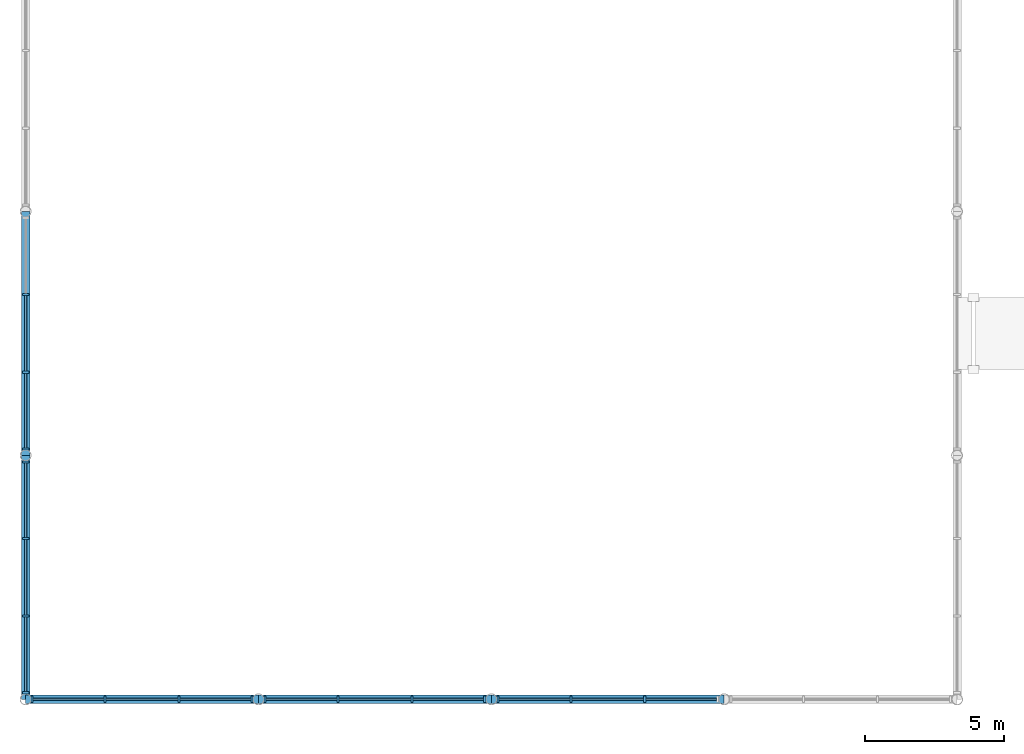
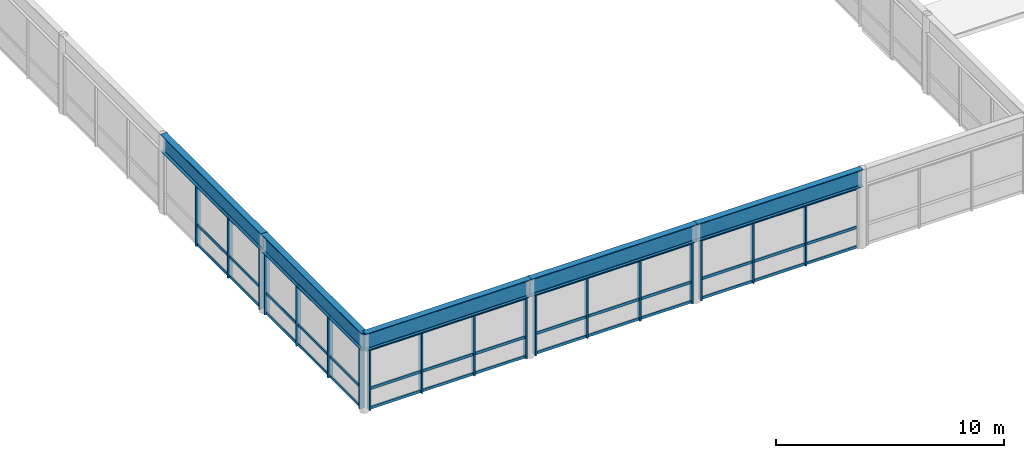
# One storey, part 5 of 46: 60 members, 5 beams, 5 elements without a shape of their own.
"""IFC4 building model written with IfcOpenShell, lengths in metres."""

import ifcopenshell
import ifcopenshell.guid

model = None  # the IFC model being written
_history = None  # IfcOwnerHistory: only IFC2X3 demands one
_inside = {}  # id of a spatial element -> (the spatial element, [elements in it])
_under = {}  # id of a project, library or spatial element -> (it, [spatial elements below it])
_declared = {}  # id of a project -> (the project, [libraries it declares])
_typed = {}  # id of a type object -> (the type object, [elements of that type])
_made_of = {}  # id of a material, layer set ... -> (it, [elements and type objects made of it])


def new_model(schema):
    """Start an empty IFC model of exactly this schema.

    Asked for "IFC4X3", IfcOpenShell would pick the latest addendum, in which some entities
    have other attributes; the version numbers below select the first issue.
    IFC2X3 requires an IfcOwnerHistory on every rooted entity: one is made here for all.
    """
    global model, _history
    if schema == "IFC4X3":
        model = ifcopenshell.file(schema_version=(4, 3, 0, 0))
    else:
        model = ifcopenshell.file(schema=schema)
    _inside.clear()
    _under.clear()
    _declared.clear()
    _typed.clear()
    _made_of.clear()
    _history = None
    if model.schema == "IFC2X3":
        org = make("IfcOrganization", Name="unknown")
        user = make(
            "IfcPersonAndOrganization",
            ThePerson=make("IfcPerson", FamilyName="unknown"),
            TheOrganization=org,
        )
        app = make(
            "IfcApplication",
            ApplicationDeveloper=org,
            Version="unknown",
            ApplicationFullName="unknown",
            ApplicationIdentifier="unknown",
        )
        _history = make(
            "IfcOwnerHistory",
            OwningUser=user,
            OwningApplication=app,
            ChangeAction="ADDED",
            CreationDate=0,
        )
    return model


def make(cls, **values):
    """One entity of the class cls with the attributes given. An attribute that is None is left unset."""
    return model.create_entity(
        cls, **{name: value for name, value in values.items() if value is not None}
    )


def rooted(cls, **values):
    """An entity with a GlobalId (a new one), such as an element, a storey or a relation."""
    return make(cls, GlobalId=ifcopenshell.guid.new(), OwnerHistory=_history, **values)


def si_unit(unit_type, name, prefix=None):
    """IfcSIUnit, for example si_unit("LENGTHUNIT", "METRE", prefix="MILLI")."""
    return make("IfcSIUnit", UnitType=unit_type, Prefix=prefix, Name=name)


def assignment(units):
    """IfcUnitAssignment: the units of a project."""
    return None if units is None else make("IfcUnitAssignment", Units=units)


def point(xyz):
    """IfcCartesianPoint."""
    return None if xyz is None else make("IfcCartesianPoint", Coordinates=xyz)


def direction(xyz):
    """IfcDirection."""
    return None if xyz is None else make("IfcDirection", DirectionRatios=xyz)


def frame(location, z_axis=None, x_axis=None):
    """IfcAxis2Placement3D, a coordinate frame: its origin and axes. An axis left out is left unset."""
    return make(
        "IfcAxis2Placement3D",
        Location=point(location),
        Axis=direction(z_axis),
        RefDirection=direction(x_axis),
    )


def frame_2d(location, x_axis=None):
    """IfcAxis2Placement2D, a coordinate frame in the plane: its origin and x axis."""
    return make(
        "IfcAxis2Placement2D", Location=point(location), RefDirection=direction(x_axis)
    )


def origin():
    """The frame at (0, 0, 0) with its axes left unset."""
    return frame((0.0, 0.0, 0.0))


def origin_2d():
    """The frame at (0, 0) in the plane with its x axis left unset."""
    return frame_2d((0.0, 0.0))


def place(relative_to, where):
    """IfcLocalPlacement: puts the frame where relative to a parent placement (None: the world)."""
    return make(
        "IfcLocalPlacement", PlacementRelTo=relative_to, RelativePlacement=where
    )


def context(
    kind, dimensions, precision=None, world=None, true_north=None, identifier=None
):
    """IfcGeometricRepresentationContext, for example the 3D "Model" context."""
    return make(
        "IfcGeometricRepresentationContext",
        ContextIdentifier=identifier,
        ContextType=kind,
        CoordinateSpaceDimension=dimensions,
        Precision=precision,
        WorldCoordinateSystem=world,
        TrueNorth=true_north,
    )


def subcontext(parent, identifier, kind, view, scale=None):
    """IfcGeometricRepresentationSubContext, for example "Body" below "Model"."""
    return make(
        "IfcGeometricRepresentationSubContext",
        ContextIdentifier=identifier,
        ContextType=kind,
        ParentContext=parent,
        TargetScale=scale,
        TargetView=view,
    )


def project(units=None, contexts=None):
    """IfcProject with its units and contexts."""
    return rooted(
        "IfcProject",
        Name="project",
        RepresentationContexts=contexts,
        UnitsInContext=assignment(units),
    )


def spatial(cls, under=None, at=None, **own):
    """A site, building, storey or space (cls), placed at a placement, below another one or the project."""
    s = rooted(cls, ObjectPlacement=at, **own)
    if under is not None:
        _under.setdefault(under.id(), (under, []))[1].append(s)
    return s


def profile(cls, at=None, kind="AREA", **sizes):
    """A parametric profile (cls). Its sizes go by their IFC names, for example OverallWidth=200.0."""
    return make(cls, ProfileType=kind, Position=at, **sizes)


def rectangle(**sizes):
    """IfcRectangleProfileDef."""
    return profile("IfcRectangleProfileDef", **sizes)


def i_section(**sizes):
    """IfcIShapeProfileDef."""
    return profile("IfcIShapeProfileDef", **sizes)


def extrude(swept, where, along, depth):
    """IfcExtrudedAreaSolid: the profile swept, set in the frame where, extruded along a direction by depth."""
    return make(
        "IfcExtrudedAreaSolid",
        SweptArea=swept,
        Position=where,
        ExtrudedDirection=direction(along),
        Depth=depth,
    )


def shape(context_of_items, identifier, shape_type, items):
    """IfcShapeRepresentation: the items that make up one representation, for example the "Body"."""
    return make(
        "IfcShapeRepresentation",
        ContextOfItems=context_of_items,
        RepresentationIdentifier=identifier,
        RepresentationType=shape_type,
        Items=items,
    )


def material(Name=None, Category=None):
    """IfcMaterial."""
    return make("IfcMaterial", Name=Name, Category=Category)


def material_profile(
    of_material, cross_section, Name=None, Category=None, Priority=None
):
    """IfcMaterialProfile: a cross section and its material."""
    return make(
        "IfcMaterialProfile",
        Name=Name,
        Material=of_material,
        Profile=cross_section,
        Priority=Priority,
        Category=Category,
    )


def profile_set(profiles, Name=None, composite=None):
    """IfcMaterialProfileSet."""
    return make(
        "IfcMaterialProfileSet",
        Name=Name,
        MaterialProfiles=profiles,
        CompositeProfile=composite,
    )


def made_of(thing, what):
    """Note that an element or type object is made of a material, layer set ...; save() writes the relation."""
    if what is not None:
        _made_of.setdefault(what.id(), (what, []))[1].append(thing)
    return thing


def type_object(cls, material=None, **own):
    """A type object (cls), such as IfcWallType, which elements share."""
    return made_of(rooted(cls, **own), material)


def element(
    cls,
    number,
    at=None,
    inside=None,
    cuts=None,
    type_object=None,
    material=None,
    context=None,
    identifier="Body",
    shape_type=None,
    held_by="IfcProductDefinitionShape",
    body=None,
    shapes=None,
    **own,
):
    """One element of the class cls, such as IfcWall. Its Tag is "e" and its number.

    at: its placement. inside: the storey or other place that contains it. cuts: it is an
    opening in that element (IfcRelVoidsElement). A single representation is given by context,
    identifier, shape_type and body (its items); several are given by shapes. held_by: the class
    of the entity that holds the representations. save() writes the other relations.
    """
    e = rooted(cls, Tag="e%d" % number, ObjectPlacement=at, **own)
    if body is not None:
        shapes = [shape(context, identifier, shape_type, body)]
    if shapes is not None:
        e.Representation = make(held_by, Representations=shapes)
    if inside is not None:
        _inside.setdefault(inside.id(), (inside, []))[1].append(e)
    if cuts is not None:
        rooted(
            "IfcRelVoidsElement", RelatingBuildingElement=cuts, RelatedOpeningElement=e
        )
    if type_object is not None:
        _typed.setdefault(type_object.id(), (type_object, []))[1].append(e)
    return made_of(e, material)


def aggregate(whole, parts):
    """IfcRelAggregates: a whole, such as a stair, and the parts it consists of."""
    return rooted("IfcRelAggregates", RelatingObject=whole, RelatedObjects=parts)


def save(model, path):
    """Write the relations noted so far, then the file.

    IfcRelAggregates (storeys below a building ...), IfcRelContainedInSpatialStructure (elements
    in a storey), IfcRelDefinesByType, IfcRelAssociatesMaterial and IfcRelDeclares: one each for
    every whole, place, type object, material and project.
    """
    for whole, parts in _under.values():
        aggregate(whole, parts)
    for where, things in _inside.values():
        rooted(
            "IfcRelContainedInSpatialStructure",
            RelatedElements=things,
            RelatingStructure=where,
        )
    for kind, things in _typed.values():
        rooted("IfcRelDefinesByType", RelatedObjects=things, RelatingType=kind)
    for what, things in _made_of.values():
        rooted("IfcRelAssociatesMaterial", RelatedObjects=things, RelatingMaterial=what)
    for by, libraries in _declared.values():
        rooted("IfcRelDeclares", RelatingContext=by, RelatedDefinitions=libraries)
    model.write(path)


model = new_model("IFC4")

# Units and contexts
model_context = context("Model", 3, precision=1e-05, world=origin(), true_north=direction((0.0, 1.0)))
body_context = subcontext(model_context, "Body", "Model", "MODEL_VIEW")
ifc_project = project(units=[si_unit("LENGTHUNIT", "METRE"), si_unit("AREAUNIT", "SQUARE_METRE"), si_unit("VOLUMEUNIT", "CUBIC_METRE"), si_unit("PLANEANGLEUNIT", "RADIAN"), si_unit("MASSUNIT", "GRAM", prefix="KILO")], contexts=[model_context])

# Site, building, storey
site_placement = place(None, origin())
site = spatial("IfcSite", under=ifc_project, at=site_placement, CompositionType="ELEMENT")
building_placement = place(site_placement, origin())
building = spatial("IfcBuilding", under=site, at=building_placement, Name="Kemercrest Conservatory and Botanical Centre", CompositionType="ELEMENT")
storey_placement = place(building_placement, frame((0.0, 0.0, 9.0)))
storey = spatial("IfcBuildingStorey", under=building, at=storey_placement, Name="L02", CompositionType="ELEMENT", Elevation=9.0)

# Curtain wall, members
ifc_material_1 = material(Name="Thermally broken aluminium and triple low-e glazing", Category="aluminium")
curtain_wall_type_1 = type_object("IfcCurtainWallType", Name="CW-18", PredefinedType="USERDEFINED", material=ifc_material_1)
curtain_wall_1_placement = place(storey_placement, origin())
curtain_wall_1 = element("IfcCurtainWall", 1, at=curtain_wall_1_placement, inside=storey, type_object=curtain_wall_type_1, Name="Unitised curtain wall CW-18 (CW:L02:V1-017)", ObjectType="UNITISED CURTAIN WALL", PredefinedType="USERDEFINED")
ifc_material_2 = material(Name="Thermally broken anodized aluminium 6063-T6", Category="aluminium")
ifc_material_profile_1 = material_profile(ifc_material_2, rectangle(XDim=0.239990234375, YDim=0.074951171875, at=origin_2d()), Name="AL MULLION 75x240")
ifc_profile_set_1 = profile_set([ifc_material_profile_1], Name="Thermally broken anodized aluminium 6063-T6")
member_type_1 = type_object("IfcMemberType", Name="CW-M225", PredefinedType="MULLION", material=ifc_profile_set_1)
member_1_placement = place(storey_placement, frame((8.237548828125, 16.800048828125, 0.0), z_axis=(0.0, 0.0, 1.0), x_axis=(0.0, 1.0, 0.0)))
member_1 = element("IfcMember", 2, at=member_1_placement, type_object=member_type_1, Name="CW-18 mullion 1", PredefinedType="MULLION", context=body_context, shape_type="SweptSolid", body=[
    extrude(rectangle(XDim=0.239990234375, YDim=0.074951171875, at=origin_2d()), origin(), (0.0, 0.0, 1.0), 3.278076171875),
])
member_2_placement = place(storey_placement, frame((10.86669921875, 16.800048828125, 0.0), z_axis=(0.0, 0.0, 1.0), x_axis=(0.0, 1.0, 0.0)))
member_2 = element("IfcMember", 3, at=member_2_placement, type_object=member_type_1, Name="CW-18 mullion 2", PredefinedType="MULLION", context=body_context, shape_type="SweptSolid", body=[
    extrude(rectangle(XDim=0.239990234375, YDim=0.074951171875, at=origin_2d()), origin(), (0.0, 0.0, 1.0), 3.278076171875),
])
member_3_placement = place(storey_placement, frame((13.533447265625, 16.800048828125, 0.0), z_axis=(0.0, 0.0, 1.0), x_axis=(0.0, 1.0, 0.0)))
member_3 = element("IfcMember", 4, at=member_3_placement, type_object=member_type_1, Name="CW-18 mullion 3", PredefinedType="MULLION", context=body_context, shape_type="SweptSolid", body=[
    extrude(rectangle(XDim=0.239990234375, YDim=0.074951171875, at=origin_2d()), origin(), (0.0, 0.0, 1.0), 3.278076171875),
])
member_4_placement = place(storey_placement, frame((16.16259765625, 16.800048828125, 0.0), z_axis=(0.0, 0.0, 1.0), x_axis=(0.0, 1.0, 0.0)))
member_4 = element("IfcMember", 5, at=member_4_placement, type_object=member_type_1, Name="CW-18 mullion 4", PredefinedType="MULLION", context=body_context, shape_type="SweptSolid", body=[
    extrude(rectangle(XDim=0.239990234375, YDim=0.074951171875, at=origin_2d()), origin(), (0.0, 0.0, 1.0), 3.278076171875),
])

curtain_wall_type_2 = type_object("IfcCurtainWallType", Name="CW-19", PredefinedType="USERDEFINED", material=ifc_material_1)
curtain_wall_2_placement = place(storey_placement, origin())
curtain_wall_2 = element("IfcCurtainWall", 6, at=curtain_wall_2_placement, inside=storey, type_object=curtain_wall_type_2, Name="Unitised curtain wall CW-19 (CW:L02:V1-018)", ObjectType="UNITISED CURTAIN WALL", PredefinedType="USERDEFINED")
member_5_placement = place(storey_placement, frame((16.637451171875, 16.800048828125, 0.0), z_axis=(0.0, 0.0, 1.0), x_axis=(0.0, 1.0, 0.0)))
member_5 = element("IfcMember", 7, at=member_5_placement, type_object=member_type_1, Name="CW-19 mullion 1", PredefinedType="MULLION", context=body_context, shape_type="SweptSolid", body=[
    extrude(rectangle(XDim=0.239990234375, YDim=0.074951171875, at=origin_2d()), origin(), (0.0, 0.0, 1.0), 3.278076171875),
])
member_6_placement = place(storey_placement, frame((19.2666015625, 16.800048828125, 0.0), z_axis=(0.0, 0.0, 1.0), x_axis=(0.0, 1.0, 0.0)))
member_6 = element("IfcMember", 8, at=member_6_placement, type_object=member_type_1, Name="CW-19 mullion 2", PredefinedType="MULLION", context=body_context, shape_type="SweptSolid", body=[
    extrude(rectangle(XDim=0.239990234375, YDim=0.074951171875, at=origin_2d()), origin(), (0.0, 0.0, 1.0), 3.278076171875),
])
member_7_placement = place(storey_placement, frame((21.933349609375, 16.800048828125, 0.0), z_axis=(0.0, 0.0, 1.0), x_axis=(0.0, 1.0, 0.0)))
member_7 = element("IfcMember", 9, at=member_7_placement, type_object=member_type_1, Name="CW-19 mullion 3", PredefinedType="MULLION", context=body_context, shape_type="SweptSolid", body=[
    extrude(rectangle(XDim=0.239990234375, YDim=0.074951171875, at=origin_2d()), origin(), (0.0, 0.0, 1.0), 3.278076171875),
])
member_8_placement = place(storey_placement, frame((24.5625, 16.800048828125, 0.0), z_axis=(0.0, 0.0, 1.0), x_axis=(0.0, 1.0, 0.0)))
member_8 = element("IfcMember", 10, at=member_8_placement, type_object=member_type_1, Name="CW-19 mullion 4", PredefinedType="MULLION", context=body_context, shape_type="SweptSolid", body=[
    extrude(rectangle(XDim=0.239990234375, YDim=0.074951171875, at=origin_2d()), origin(), (0.0, 0.0, 1.0), 3.278076171875),
])

curtain_wall_type_3 = type_object("IfcCurtainWallType", Name="CW-20", PredefinedType="USERDEFINED", material=ifc_material_1)
curtain_wall_3_placement = place(storey_placement, origin())
curtain_wall_3 = element("IfcCurtainWall", 11, at=curtain_wall_3_placement, inside=storey, type_object=curtain_wall_type_3, Name="Unitised curtain wall CW-20 (CW:L02:V1-019)", ObjectType="UNITISED CURTAIN WALL", PredefinedType="USERDEFINED")
member_9_placement = place(storey_placement, frame((25.03759765625, 16.800048828125, 0.0), z_axis=(0.0, 0.0, 1.0), x_axis=(0.0, 1.0, 0.0)))
member_9 = element("IfcMember", 12, at=member_9_placement, type_object=member_type_1, Name="CW-20 mullion 1", PredefinedType="MULLION", context=body_context, shape_type="SweptSolid", body=[
    extrude(rectangle(XDim=0.239990234375, YDim=0.074951171875, at=origin_2d()), origin(), (0.0, 0.0, 1.0), 3.278076171875),
])
member_10_placement = place(storey_placement, frame((27.666748046875, 16.800048828125, 0.0), z_axis=(0.0, 0.0, 1.0), x_axis=(0.0, 1.0, 0.0)))
member_10 = element("IfcMember", 13, at=member_10_placement, type_object=member_type_1, Name="CW-20 mullion 2", PredefinedType="MULLION", context=body_context, shape_type="SweptSolid", body=[
    extrude(rectangle(XDim=0.239990234375, YDim=0.074951171875, at=origin_2d()), origin(), (0.0, 0.0, 1.0), 3.278076171875),
])
member_11_placement = place(storey_placement, frame((30.333251953125, 16.800048828125, 0.0), z_axis=(0.0, 0.0, 1.0), x_axis=(0.0, 1.0, 0.0)))
member_11 = element("IfcMember", 14, at=member_11_placement, type_object=member_type_1, Name="CW-20 mullion 3", PredefinedType="MULLION", context=body_context, shape_type="SweptSolid", body=[
    extrude(rectangle(XDim=0.239990234375, YDim=0.074951171875, at=origin_2d()), origin(), (0.0, 0.0, 1.0), 3.278076171875),
])

curtain_wall_type_4 = type_object("IfcCurtainWallType", Name="CW-28", PredefinedType="USERDEFINED", material=ifc_material_1)
curtain_wall_4_placement = place(storey_placement, origin())
curtain_wall_4 = element("IfcCurtainWall", 15, at=curtain_wall_4_placement, inside=storey, type_object=curtain_wall_type_4, Name="Unitised curtain wall CW-28 (CW:L02:V1-027)", ObjectType="UNITISED CURTAIN WALL", PredefinedType="USERDEFINED")
member_12_placement = place(storey_placement, frame((8.0, 31.39990234375, 0.0), z_axis=(0.0, 0.0, 1.0), x_axis=(1.0, 0.0, 0.0)))
member_12 = element("IfcMember", 16, at=member_12_placement, type_object=member_type_1, Name="CW-28 mullion 2", PredefinedType="MULLION", context=body_context, shape_type="SweptSolid", body=[
    extrude(rectangle(XDim=0.239990234375, YDim=0.074951171875, at=origin_2d()), origin(), (0.0, 0.0, 1.0), 3.278076171875),
])
member_13_placement = place(storey_placement, frame((8.0, 28.60009765625, 0.0), z_axis=(0.0, 0.0, 1.0), x_axis=(1.0, 0.0, 0.0)))
member_13 = element("IfcMember", 17, at=member_13_placement, type_object=member_type_1, Name="CW-28 mullion 3", PredefinedType="MULLION", context=body_context, shape_type="SweptSolid", body=[
    extrude(rectangle(XDim=0.239990234375, YDim=0.074951171875, at=origin_2d()), origin(), (0.0, 0.0, 1.0), 3.278076171875),
])
member_14_placement = place(storey_placement, frame((8.0, 25.83740234375, 0.0), z_axis=(0.0, 0.0, 1.0), x_axis=(1.0, 0.0, 0.0)))
member_14 = element("IfcMember", 18, at=member_14_placement, type_object=member_type_1, Name="CW-28 mullion 4", PredefinedType="MULLION", context=body_context, shape_type="SweptSolid", body=[
    extrude(rectangle(XDim=0.239990234375, YDim=0.074951171875, at=origin_2d()), origin(), (0.0, 0.0, 1.0), 3.278076171875),
])

curtain_wall_type_5 = type_object("IfcCurtainWallType", Name="CW-29", PredefinedType="USERDEFINED", material=ifc_material_1)
curtain_wall_5_placement = place(storey_placement, origin())
curtain_wall_5 = element("IfcCurtainWall", 19, at=curtain_wall_5_placement, inside=storey, type_object=curtain_wall_type_5, Name="Unitised curtain wall CW-29 (CW:L02:V1-028)", ObjectType="UNITISED CURTAIN WALL", PredefinedType="USERDEFINED")
member_15_placement = place(storey_placement, frame((8.0, 25.362548828125, 0.0), z_axis=(0.0, 0.0, 1.0), x_axis=(1.0, 0.0, 0.0)))
member_15 = element("IfcMember", 20, at=member_15_placement, type_object=member_type_1, Name="CW-29 mullion 1", PredefinedType="MULLION", context=body_context, shape_type="SweptSolid", body=[
    extrude(rectangle(XDim=0.239990234375, YDim=0.074951171875, at=origin_2d()), origin(), (0.0, 0.0, 1.0), 3.278076171875),
])
member_16_placement = place(storey_placement, frame((8.0, 22.60009765625, 0.0), z_axis=(0.0, 0.0, 1.0), x_axis=(1.0, 0.0, 0.0)))
member_16 = element("IfcMember", 21, at=member_16_placement, type_object=member_type_1, Name="CW-29 mullion 2", PredefinedType="MULLION", context=body_context, shape_type="SweptSolid", body=[
    extrude(rectangle(XDim=0.239990234375, YDim=0.074951171875, at=origin_2d()), origin(), (0.0, 0.0, 1.0), 3.278076171875),
])
member_17_placement = place(storey_placement, frame((8.0, 19.800048828125, 0.0), z_axis=(0.0, 0.0, 1.0), x_axis=(1.0, 0.0, 0.0)))
member_17 = element("IfcMember", 22, at=member_17_placement, type_object=member_type_1, Name="CW-29 mullion 3", PredefinedType="MULLION", context=body_context, shape_type="SweptSolid", body=[
    extrude(rectangle(XDim=0.239990234375, YDim=0.074951171875, at=origin_2d()), origin(), (0.0, 0.0, 1.0), 3.278076171875),
])
member_18_placement = place(storey_placement, frame((8.0, 17.03759765625, 0.0), z_axis=(0.0, 0.0, 1.0), x_axis=(1.0, 0.0, 0.0)))
member_18 = element("IfcMember", 23, at=member_18_placement, type_object=member_type_1, Name="CW-29 mullion 4", PredefinedType="MULLION", context=body_context, shape_type="SweptSolid", body=[
    extrude(rectangle(XDim=0.239990234375, YDim=0.074951171875, at=origin_2d()), origin(), (0.0, 0.0, 1.0), 3.278076171875),
])

# Member
ifc_material_profile_2 = material_profile(ifc_material_2, rectangle(XDim=0.06494140625, YDim=0.14990234375, at=origin_2d()), Name="AL TRANSOM 65x150")
ifc_profile_set_2 = profile_set([ifc_material_profile_2], Name="Thermally broken anodized aluminium 6063-T6")
member_type_2 = type_object("IfcMemberType", Name="CW-T200", PredefinedType="USERDEFINED", material=ifc_profile_set_2)
member_19_placement = place(storey_placement, frame((8.27490234375, 16.800048828125, 0.074951171875), z_axis=(1.0, 0.0, 0.0), x_axis=(0.0, 1.0, 0.0)))
member_19 = element("IfcMember", 24, at=member_19_placement, type_object=member_type_2, Name="CW-18 transom 1.1", ObjectType="TRANSOM", PredefinedType="USERDEFINED", context=body_context, shape_type="SweptSolid", body=[
    extrude(rectangle(XDim=0.06494140625, YDim=0.14990234375, at=origin_2d()), origin(), (0.0, 0.0, 1.0), 2.55419921875),
])

member_20_placement = place(storey_placement, frame((8.27490234375, 16.800048828125, 1.1201171875), z_axis=(1.0, 0.0, 0.0), x_axis=(0.0, 1.0, 0.0)))
member_20 = element("IfcMember", 25, at=member_20_placement, type_object=member_type_2, Name="CW-18 transom 1.2", ObjectType="TRANSOM", PredefinedType="USERDEFINED", context=body_context, shape_type="SweptSolid", body=[
    extrude(rectangle(XDim=0.06494140625, YDim=0.14990234375, at=origin_2d()), origin(), (0.0, 0.0, 1.0), 2.55419921875),
])

member_21_placement = place(storey_placement, frame((8.27490234375, 16.800048828125, 3.202880859375), z_axis=(1.0, 0.0, 0.0), x_axis=(0.0, 1.0, 0.0)))
member_21 = element("IfcMember", 26, at=member_21_placement, type_object=member_type_2, Name="CW-18 transom 1.3", ObjectType="TRANSOM", PredefinedType="USERDEFINED", context=body_context, shape_type="SweptSolid", body=[
    extrude(rectangle(XDim=0.06494140625, YDim=0.14990234375, at=origin_2d()), origin(), (0.0, 0.0, 1.0), 2.55419921875),
])

member_22_placement = place(storey_placement, frame((10.904052734375, 16.800048828125, 0.074951171875), z_axis=(1.0, 0.0, 0.0), x_axis=(0.0, 1.0, 0.0)))
member_22 = element("IfcMember", 27, at=member_22_placement, type_object=member_type_2, Name="CW-18 transom 2.1", ObjectType="TRANSOM", PredefinedType="USERDEFINED", context=body_context, shape_type="SweptSolid", body=[
    extrude(rectangle(XDim=0.06494140625, YDim=0.14990234375, at=origin_2d()), origin(), (0.0, 0.0, 1.0), 2.591796875),
])

member_23_placement = place(storey_placement, frame((10.904052734375, 16.800048828125, 1.1201171875), z_axis=(1.0, 0.0, 0.0), x_axis=(0.0, 1.0, 0.0)))
member_23 = element("IfcMember", 28, at=member_23_placement, type_object=member_type_2, Name="CW-18 transom 2.2", ObjectType="TRANSOM", PredefinedType="USERDEFINED", context=body_context, shape_type="SweptSolid", body=[
    extrude(rectangle(XDim=0.06494140625, YDim=0.14990234375, at=origin_2d()), origin(), (0.0, 0.0, 1.0), 2.591796875),
])

member_24_placement = place(storey_placement, frame((10.904052734375, 16.800048828125, 3.202880859375), z_axis=(1.0, 0.0, 0.0), x_axis=(0.0, 1.0, 0.0)))
member_24 = element("IfcMember", 29, at=member_24_placement, type_object=member_type_2, Name="CW-18 transom 2.3", ObjectType="TRANSOM", PredefinedType="USERDEFINED", context=body_context, shape_type="SweptSolid", body=[
    extrude(rectangle(XDim=0.06494140625, YDim=0.14990234375, at=origin_2d()), origin(), (0.0, 0.0, 1.0), 2.591796875),
])

member_25_placement = place(storey_placement, frame((13.57080078125, 16.800048828125, 0.074951171875), z_axis=(1.0, 0.0, 0.0), x_axis=(0.0, 1.0, 0.0)))
member_25 = element("IfcMember", 30, at=member_25_placement, type_object=member_type_2, Name="CW-18 transom 3.1", ObjectType="TRANSOM", PredefinedType="USERDEFINED", context=body_context, shape_type="SweptSolid", body=[
    extrude(rectangle(XDim=0.06494140625, YDim=0.14990234375, at=origin_2d()), origin(), (0.0, 0.0, 1.0), 2.55419921875),
])

member_26_placement = place(storey_placement, frame((13.57080078125, 16.800048828125, 1.1201171875), z_axis=(1.0, 0.0, 0.0), x_axis=(0.0, 1.0, 0.0)))
member_26 = element("IfcMember", 31, at=member_26_placement, type_object=member_type_2, Name="CW-18 transom 3.2", ObjectType="TRANSOM", PredefinedType="USERDEFINED", context=body_context, shape_type="SweptSolid", body=[
    extrude(rectangle(XDim=0.06494140625, YDim=0.14990234375, at=origin_2d()), origin(), (0.0, 0.0, 1.0), 2.55419921875),
])

member_27_placement = place(storey_placement, frame((13.57080078125, 16.800048828125, 3.202880859375), z_axis=(1.0, 0.0, 0.0), x_axis=(0.0, 1.0, 0.0)))
member_27 = element("IfcMember", 32, at=member_27_placement, type_object=member_type_2, Name="CW-18 transom 3.3", ObjectType="TRANSOM", PredefinedType="USERDEFINED", context=body_context, shape_type="SweptSolid", body=[
    extrude(rectangle(XDim=0.06494140625, YDim=0.14990234375, at=origin_2d()), origin(), (0.0, 0.0, 1.0), 2.55419921875),
])

aggregate(curtain_wall_1, [member_1, member_2, member_3, member_4, member_19, member_20, member_21, member_22, member_23, member_24, member_25, member_26, member_27])

member_28_placement = place(storey_placement, frame((16.675048828125, 16.800048828125, 0.074951171875), z_axis=(1.0, 0.0, 0.0), x_axis=(0.0, 1.0, 0.0)))
member_28 = element("IfcMember", 33, at=member_28_placement, type_object=member_type_2, Name="CW-19 transom 1.1", ObjectType="TRANSOM", PredefinedType="USERDEFINED", context=body_context, shape_type="SweptSolid", body=[
    extrude(rectangle(XDim=0.06494140625, YDim=0.14990234375, at=origin_2d()), origin(), (0.0, 0.0, 1.0), 2.55419921875),
])

member_29_placement = place(storey_placement, frame((16.675048828125, 16.800048828125, 1.1201171875), z_axis=(1.0, 0.0, 0.0), x_axis=(0.0, 1.0, 0.0)))
member_29 = element("IfcMember", 34, at=member_29_placement, type_object=member_type_2, Name="CW-19 transom 1.2", ObjectType="TRANSOM", PredefinedType="USERDEFINED", context=body_context, shape_type="SweptSolid", body=[
    extrude(rectangle(XDim=0.06494140625, YDim=0.14990234375, at=origin_2d()), origin(), (0.0, 0.0, 1.0), 2.55419921875),
])

member_30_placement = place(storey_placement, frame((16.675048828125, 16.800048828125, 3.202880859375), z_axis=(1.0, 0.0, 0.0), x_axis=(0.0, 1.0, 0.0)))
member_30 = element("IfcMember", 35, at=member_30_placement, type_object=member_type_2, Name="CW-19 transom 1.3", ObjectType="TRANSOM", PredefinedType="USERDEFINED", context=body_context, shape_type="SweptSolid", body=[
    extrude(rectangle(XDim=0.06494140625, YDim=0.14990234375, at=origin_2d()), origin(), (0.0, 0.0, 1.0), 2.55419921875),
])

member_31_placement = place(storey_placement, frame((19.30419921875, 16.800048828125, 0.074951171875), z_axis=(1.0, 0.0, 0.0), x_axis=(0.0, 1.0, 0.0)))
member_31 = element("IfcMember", 36, at=member_31_placement, type_object=member_type_2, Name="CW-19 transom 2.1", ObjectType="TRANSOM", PredefinedType="USERDEFINED", context=body_context, shape_type="SweptSolid", body=[
    extrude(rectangle(XDim=0.06494140625, YDim=0.14990234375, at=origin_2d()), origin(), (0.0, 0.0, 1.0), 2.591552734375),
])

member_32_placement = place(storey_placement, frame((19.30419921875, 16.800048828125, 1.1201171875), z_axis=(1.0, 0.0, 0.0), x_axis=(0.0, 1.0, 0.0)))
member_32 = element("IfcMember", 37, at=member_32_placement, type_object=member_type_2, Name="CW-19 transom 2.2", ObjectType="TRANSOM", PredefinedType="USERDEFINED", context=body_context, shape_type="SweptSolid", body=[
    extrude(rectangle(XDim=0.06494140625, YDim=0.14990234375, at=origin_2d()), origin(), (0.0, 0.0, 1.0), 2.591552734375),
])

member_33_placement = place(storey_placement, frame((19.30419921875, 16.800048828125, 3.202880859375), z_axis=(1.0, 0.0, 0.0), x_axis=(0.0, 1.0, 0.0)))
member_33 = element("IfcMember", 38, at=member_33_placement, type_object=member_type_2, Name="CW-19 transom 2.3", ObjectType="TRANSOM", PredefinedType="USERDEFINED", context=body_context, shape_type="SweptSolid", body=[
    extrude(rectangle(XDim=0.06494140625, YDim=0.14990234375, at=origin_2d()), origin(), (0.0, 0.0, 1.0), 2.591552734375),
])

member_34_placement = place(storey_placement, frame((21.970947265625, 16.800048828125, 0.074951171875), z_axis=(1.0, 0.0, 0.0), x_axis=(0.0, 1.0, 0.0)))
member_34 = element("IfcMember", 39, at=member_34_placement, type_object=member_type_2, Name="CW-19 transom 3.1", ObjectType="TRANSOM", PredefinedType="USERDEFINED", context=body_context, shape_type="SweptSolid", body=[
    extrude(rectangle(XDim=0.06494140625, YDim=0.14990234375, at=origin_2d()), origin(), (0.0, 0.0, 1.0), 2.553955078125),
])

member_35_placement = place(storey_placement, frame((21.970947265625, 16.800048828125, 1.1201171875), z_axis=(1.0, 0.0, 0.0), x_axis=(0.0, 1.0, 0.0)))
member_35 = element("IfcMember", 40, at=member_35_placement, type_object=member_type_2, Name="CW-19 transom 3.2", ObjectType="TRANSOM", PredefinedType="USERDEFINED", context=body_context, shape_type="SweptSolid", body=[
    extrude(rectangle(XDim=0.06494140625, YDim=0.14990234375, at=origin_2d()), origin(), (0.0, 0.0, 1.0), 2.553955078125),
])

member_36_placement = place(storey_placement, frame((21.970947265625, 16.800048828125, 3.202880859375), z_axis=(1.0, 0.0, 0.0), x_axis=(0.0, 1.0, 0.0)))
member_36 = element("IfcMember", 41, at=member_36_placement, type_object=member_type_2, Name="CW-19 transom 3.3", ObjectType="TRANSOM", PredefinedType="USERDEFINED", context=body_context, shape_type="SweptSolid", body=[
    extrude(rectangle(XDim=0.06494140625, YDim=0.14990234375, at=origin_2d()), origin(), (0.0, 0.0, 1.0), 2.553955078125),
])

aggregate(curtain_wall_2, [member_5, member_6, member_7, member_8, member_28, member_29, member_30, member_31, member_32, member_33, member_34, member_35, member_36])

member_37_placement = place(storey_placement, frame((25.074951171875, 16.800048828125, 0.074951171875), z_axis=(1.0, 0.0, 0.0), x_axis=(0.0, 1.0, 0.0)))
member_37 = element("IfcMember", 42, at=member_37_placement, type_object=member_type_2, Name="CW-20 transom 1.1", ObjectType="TRANSOM", PredefinedType="USERDEFINED", context=body_context, shape_type="SweptSolid", body=[
    extrude(rectangle(XDim=0.06494140625, YDim=0.14990234375, at=origin_2d()), origin(), (0.0, 0.0, 1.0), 2.55419921875),
])

member_38_placement = place(storey_placement, frame((25.074951171875, 16.800048828125, 1.1201171875), z_axis=(1.0, 0.0, 0.0), x_axis=(0.0, 1.0, 0.0)))
member_38 = element("IfcMember", 43, at=member_38_placement, type_object=member_type_2, Name="CW-20 transom 1.2", ObjectType="TRANSOM", PredefinedType="USERDEFINED", context=body_context, shape_type="SweptSolid", body=[
    extrude(rectangle(XDim=0.06494140625, YDim=0.14990234375, at=origin_2d()), origin(), (0.0, 0.0, 1.0), 2.55419921875),
])

member_39_placement = place(storey_placement, frame((25.074951171875, 16.800048828125, 3.202880859375), z_axis=(1.0, 0.0, 0.0), x_axis=(0.0, 1.0, 0.0)))
member_39 = element("IfcMember", 44, at=member_39_placement, type_object=member_type_2, Name="CW-20 transom 1.3", ObjectType="TRANSOM", PredefinedType="USERDEFINED", context=body_context, shape_type="SweptSolid", body=[
    extrude(rectangle(XDim=0.06494140625, YDim=0.14990234375, at=origin_2d()), origin(), (0.0, 0.0, 1.0), 2.55419921875),
])

member_40_placement = place(storey_placement, frame((27.7041015625, 16.800048828125, 0.074951171875), z_axis=(1.0, 0.0, 0.0), x_axis=(0.0, 1.0, 0.0)))
member_40 = element("IfcMember", 45, at=member_40_placement, type_object=member_type_2, Name="CW-20 transom 2.1", ObjectType="TRANSOM", PredefinedType="USERDEFINED", context=body_context, shape_type="SweptSolid", body=[
    extrude(rectangle(XDim=0.06494140625, YDim=0.14990234375, at=origin_2d()), origin(), (0.0, 0.0, 1.0), 2.591796875),
])

member_41_placement = place(storey_placement, frame((27.7041015625, 16.800048828125, 1.1201171875), z_axis=(1.0, 0.0, 0.0), x_axis=(0.0, 1.0, 0.0)))
member_41 = element("IfcMember", 46, at=member_41_placement, type_object=member_type_2, Name="CW-20 transom 2.2", ObjectType="TRANSOM", PredefinedType="USERDEFINED", context=body_context, shape_type="SweptSolid", body=[
    extrude(rectangle(XDim=0.06494140625, YDim=0.14990234375, at=origin_2d()), origin(), (0.0, 0.0, 1.0), 2.591796875),
])

member_42_placement = place(storey_placement, frame((27.7041015625, 16.800048828125, 3.202880859375), z_axis=(1.0, 0.0, 0.0), x_axis=(0.0, 1.0, 0.0)))
member_42 = element("IfcMember", 47, at=member_42_placement, type_object=member_type_2, Name="CW-20 transom 2.3", ObjectType="TRANSOM", PredefinedType="USERDEFINED", context=body_context, shape_type="SweptSolid", body=[
    extrude(rectangle(XDim=0.06494140625, YDim=0.14990234375, at=origin_2d()), origin(), (0.0, 0.0, 1.0), 2.591796875),
])

member_43_placement = place(storey_placement, frame((30.370849609375, 16.800048828125, 0.074951171875), z_axis=(1.0, 0.0, 0.0), x_axis=(0.0, 1.0, 0.0)))
member_43 = element("IfcMember", 48, at=member_43_placement, type_object=member_type_2, Name="CW-20 transom 3.1", ObjectType="TRANSOM", PredefinedType="USERDEFINED", context=body_context, shape_type="SweptSolid", body=[
    extrude(rectangle(XDim=0.06494140625, YDim=0.14990234375, at=origin_2d()), origin(), (0.0, 0.0, 1.0), 2.55419921875),
])

member_44_placement = place(storey_placement, frame((30.370849609375, 16.800048828125, 1.1201171875), z_axis=(1.0, 0.0, 0.0), x_axis=(0.0, 1.0, 0.0)))
member_44 = element("IfcMember", 49, at=member_44_placement, type_object=member_type_2, Name="CW-20 transom 3.2", ObjectType="TRANSOM", PredefinedType="USERDEFINED", context=body_context, shape_type="SweptSolid", body=[
    extrude(rectangle(XDim=0.06494140625, YDim=0.14990234375, at=origin_2d()), origin(), (0.0, 0.0, 1.0), 2.55419921875),
])

member_45_placement = place(storey_placement, frame((30.370849609375, 16.800048828125, 3.202880859375), z_axis=(1.0, 0.0, 0.0), x_axis=(0.0, 1.0, 0.0)))
member_45 = element("IfcMember", 50, at=member_45_placement, type_object=member_type_2, Name="CW-20 transom 3.3", ObjectType="TRANSOM", PredefinedType="USERDEFINED", context=body_context, shape_type="SweptSolid", body=[
    extrude(rectangle(XDim=0.06494140625, YDim=0.14990234375, at=origin_2d()), origin(), (0.0, 0.0, 1.0), 2.55419921875),
])

aggregate(curtain_wall_3, [member_9, member_10, member_11, member_37, member_38, member_39, member_40, member_41, member_42, member_43, member_44, member_45])

member_46_placement = place(storey_placement, frame((8.0, 31.362548828125, 0.074951171875), z_axis=(0.0, -1.0, 0.0), x_axis=(1.0, 0.0, 0.0)))
member_46 = element("IfcMember", 51, at=member_46_placement, type_object=member_type_2, Name="CW-28 transom 2.1", ObjectType="TRANSOM", PredefinedType="USERDEFINED", context=body_context, shape_type="SweptSolid", body=[
    extrude(rectangle(XDim=0.06494140625, YDim=0.14990234375, at=origin_2d()), origin(), (0.0, 0.0, 1.0), 2.72509765625),
])

member_47_placement = place(storey_placement, frame((8.0, 31.362548828125, 1.1201171875), z_axis=(0.0, -1.0, 0.0), x_axis=(1.0, 0.0, 0.0)))
member_47 = element("IfcMember", 52, at=member_47_placement, type_object=member_type_2, Name="CW-28 transom 2.2", ObjectType="TRANSOM", PredefinedType="USERDEFINED", context=body_context, shape_type="SweptSolid", body=[
    extrude(rectangle(XDim=0.06494140625, YDim=0.14990234375, at=origin_2d()), origin(), (0.0, 0.0, 1.0), 2.72509765625),
])

member_48_placement = place(storey_placement, frame((8.0, 31.362548828125, 3.202880859375), z_axis=(0.0, -1.0, 0.0), x_axis=(1.0, 0.0, 0.0)))
member_48 = element("IfcMember", 53, at=member_48_placement, type_object=member_type_2, Name="CW-28 transom 2.3", ObjectType="TRANSOM", PredefinedType="USERDEFINED", context=body_context, shape_type="SweptSolid", body=[
    extrude(rectangle(XDim=0.06494140625, YDim=0.14990234375, at=origin_2d()), origin(), (0.0, 0.0, 1.0), 2.72509765625),
])

member_49_placement = place(storey_placement, frame((8.0, 28.5625, 0.074951171875), z_axis=(0.0, -1.0, 0.0), x_axis=(1.0, 0.0, 0.0)))
member_49 = element("IfcMember", 54, at=member_49_placement, type_object=member_type_2, Name="CW-28 transom 3.1", ObjectType="TRANSOM", PredefinedType="USERDEFINED", context=body_context, shape_type="SweptSolid", body=[
    extrude(rectangle(XDim=0.06494140625, YDim=0.14990234375, at=origin_2d()), origin(), (0.0, 0.0, 1.0), 2.6875),
])

member_50_placement = place(storey_placement, frame((8.0, 28.5625, 1.1201171875), z_axis=(0.0, -1.0, 0.0), x_axis=(1.0, 0.0, 0.0)))
member_50 = element("IfcMember", 55, at=member_50_placement, type_object=member_type_2, Name="CW-28 transom 3.2", ObjectType="TRANSOM", PredefinedType="USERDEFINED", context=body_context, shape_type="SweptSolid", body=[
    extrude(rectangle(XDim=0.06494140625, YDim=0.14990234375, at=origin_2d()), origin(), (0.0, 0.0, 1.0), 2.6875),
])

member_51_placement = place(storey_placement, frame((8.0, 28.5625, 3.202880859375), z_axis=(0.0, -1.0, 0.0), x_axis=(1.0, 0.0, 0.0)))
member_51 = element("IfcMember", 56, at=member_51_placement, type_object=member_type_2, Name="CW-28 transom 3.3", ObjectType="TRANSOM", PredefinedType="USERDEFINED", context=body_context, shape_type="SweptSolid", body=[
    extrude(rectangle(XDim=0.06494140625, YDim=0.14990234375, at=origin_2d()), origin(), (0.0, 0.0, 1.0), 2.6875),
])

aggregate(curtain_wall_4, [member_12, member_13, member_14, member_46, member_47, member_48, member_49, member_50, member_51])

member_52_placement = place(storey_placement, frame((8.0, 25.324951171875, 0.074951171875), z_axis=(0.0, -1.0, 0.0), x_axis=(1.0, 0.0, 0.0)))
member_52 = element("IfcMember", 57, at=member_52_placement, type_object=member_type_2, Name="CW-29 transom 1.1", ObjectType="TRANSOM", PredefinedType="USERDEFINED", context=body_context, shape_type="SweptSolid", body=[
    extrude(rectangle(XDim=0.06494140625, YDim=0.14990234375, at=origin_2d()), origin(), (0.0, 0.0, 1.0), 2.6875),
])

member_53_placement = place(storey_placement, frame((8.0, 25.324951171875, 1.1201171875), z_axis=(0.0, -1.0, 0.0), x_axis=(1.0, 0.0, 0.0)))
member_53 = element("IfcMember", 58, at=member_53_placement, type_object=member_type_2, Name="CW-29 transom 1.2", ObjectType="TRANSOM", PredefinedType="USERDEFINED", context=body_context, shape_type="SweptSolid", body=[
    extrude(rectangle(XDim=0.06494140625, YDim=0.14990234375, at=origin_2d()), origin(), (0.0, 0.0, 1.0), 2.6875),
])

member_54_placement = place(storey_placement, frame((8.0, 25.324951171875, 3.202880859375), z_axis=(0.0, -1.0, 0.0), x_axis=(1.0, 0.0, 0.0)))
member_54 = element("IfcMember", 59, at=member_54_placement, type_object=member_type_2, Name="CW-29 transom 1.3", ObjectType="TRANSOM", PredefinedType="USERDEFINED", context=body_context, shape_type="SweptSolid", body=[
    extrude(rectangle(XDim=0.06494140625, YDim=0.14990234375, at=origin_2d()), origin(), (0.0, 0.0, 1.0), 2.6875),
])

member_55_placement = place(storey_placement, frame((8.0, 22.5625, 0.074951171875), z_axis=(0.0, -1.0, 0.0), x_axis=(1.0, 0.0, 0.0)))
member_55 = element("IfcMember", 60, at=member_55_placement, type_object=member_type_2, Name="CW-29 transom 2.1", ObjectType="TRANSOM", PredefinedType="USERDEFINED", context=body_context, shape_type="SweptSolid", body=[
    extrude(rectangle(XDim=0.06494140625, YDim=0.14990234375, at=origin_2d()), origin(), (0.0, 0.0, 1.0), 2.72509765625),
])

member_56_placement = place(storey_placement, frame((8.0, 22.5625, 1.1201171875), z_axis=(0.0, -1.0, 0.0), x_axis=(1.0, 0.0, 0.0)))
member_56 = element("IfcMember", 61, at=member_56_placement, type_object=member_type_2, Name="CW-29 transom 2.2", ObjectType="TRANSOM", PredefinedType="USERDEFINED", context=body_context, shape_type="SweptSolid", body=[
    extrude(rectangle(XDim=0.06494140625, YDim=0.14990234375, at=origin_2d()), origin(), (0.0, 0.0, 1.0), 2.72509765625),
])

member_57_placement = place(storey_placement, frame((8.0, 22.5625, 3.202880859375), z_axis=(0.0, -1.0, 0.0), x_axis=(1.0, 0.0, 0.0)))
member_57 = element("IfcMember", 62, at=member_57_placement, type_object=member_type_2, Name="CW-29 transom 2.3", ObjectType="TRANSOM", PredefinedType="USERDEFINED", context=body_context, shape_type="SweptSolid", body=[
    extrude(rectangle(XDim=0.06494140625, YDim=0.14990234375, at=origin_2d()), origin(), (0.0, 0.0, 1.0), 2.72509765625),
])

member_58_placement = place(storey_placement, frame((8.0, 19.762451171875, 0.074951171875), z_axis=(0.0, -1.0, 0.0), x_axis=(1.0, 0.0, 0.0)))
member_58 = element("IfcMember", 63, at=member_58_placement, type_object=member_type_2, Name="CW-29 transom 3.1", ObjectType="TRANSOM", PredefinedType="USERDEFINED", context=body_context, shape_type="SweptSolid", body=[
    extrude(rectangle(XDim=0.06494140625, YDim=0.14990234375, at=origin_2d()), origin(), (0.0, 0.0, 1.0), 2.6875),
])

member_59_placement = place(storey_placement, frame((8.0, 19.762451171875, 1.1201171875), z_axis=(0.0, -1.0, 0.0), x_axis=(1.0, 0.0, 0.0)))
member_59 = element("IfcMember", 64, at=member_59_placement, type_object=member_type_2, Name="CW-29 transom 3.2", ObjectType="TRANSOM", PredefinedType="USERDEFINED", context=body_context, shape_type="SweptSolid", body=[
    extrude(rectangle(XDim=0.06494140625, YDim=0.14990234375, at=origin_2d()), origin(), (0.0, 0.0, 1.0), 2.6875),
])

member_60_placement = place(storey_placement, frame((8.0, 19.762451171875, 3.202880859375), z_axis=(0.0, -1.0, 0.0), x_axis=(1.0, 0.0, 0.0)))
member_60 = element("IfcMember", 65, at=member_60_placement, type_object=member_type_2, Name="CW-29 transom 3.3", ObjectType="TRANSOM", PredefinedType="USERDEFINED", context=body_context, shape_type="SweptSolid", body=[
    extrude(rectangle(XDim=0.06494140625, YDim=0.14990234375, at=origin_2d()), origin(), (0.0, 0.0, 1.0), 2.6875),
])

aggregate(curtain_wall_5, [member_15, member_16, member_17, member_18, member_52, member_53, member_54, member_55, member_56, member_57, member_58, member_59, member_60])

# Beams
ifc_material_3 = material(Name="Steel CSA G40.21 350W", Category="steel")
ifc_material_profile_3 = material_profile(ifc_material_3, i_section(OverallWidth=0.30810546875, OverallDepth=0.927001953125, WebThickness=0.019287109375, FlangeThickness=0.031982421875, FilletRadius=0.02587890625, at=origin_2d()), Name="W920X289")
ifc_profile_set_3 = profile_set([ifc_material_profile_3], Name="Steel CSA G40.21 350W")
beam_type = type_object("IfcBeamType", Name="SP-RB01", PredefinedType="SPANDREL", material=ifc_profile_set_3)
beam_1_placement = place(storey_placement, frame((8.0, 16.800048828125, 3.736572265625), z_axis=(1.0, 0.0, 0.0), x_axis=(0.0, 1.0, 0.0)))
element("IfcBeam", 66, at=beam_1_placement, inside=storey, type_object=beam_type, Name="Conservatory Tension-Compression Ring Beam RB-01", PredefinedType="SPANDREL", context=body_context, shape_type="SweptSolid", body=[
    extrude(i_section(OverallWidth=0.30810546875, OverallDepth=0.927001953125, WebThickness=0.019287109375, FlangeThickness=0.031982421875, FilletRadius=0.02587890625, at=origin_2d()), origin(), (0.0, 0.0, 1.0), 8.39990234375),
])
beam_2_placement = place(storey_placement, frame((16.39990234375, 16.800048828125, 3.736572265625), z_axis=(1.0, 0.0, 0.0), x_axis=(0.0, 1.0, 0.0)))
element("IfcBeam", 67, at=beam_2_placement, inside=storey, type_object=beam_type, Name="Conservatory Tension-Compression Ring Beam RB-01", PredefinedType="SPANDREL", context=body_context, shape_type="SweptSolid", body=[
    extrude(i_section(OverallWidth=0.30810546875, OverallDepth=0.927001953125, WebThickness=0.019287109375, FlangeThickness=0.031982421875, FilletRadius=0.02587890625, at=origin_2d()), origin(), (0.0, 0.0, 1.0), 8.400146484375),
])
beam_3_placement = place(storey_placement, frame((24.800048828125, 16.800048828125, 3.736572265625), z_axis=(1.0, 0.0, 0.0), x_axis=(0.0, 1.0, 0.0)))
element("IfcBeam", 68, at=beam_3_placement, inside=storey, type_object=beam_type, Name="Conservatory Tension-Compression Ring Beam RB-01", PredefinedType="SPANDREL", context=body_context, shape_type="SweptSolid", body=[
    extrude(i_section(OverallWidth=0.30810546875, OverallDepth=0.927001953125, WebThickness=0.019287109375, FlangeThickness=0.031982421875, FilletRadius=0.02587890625, at=origin_2d()), origin(), (0.0, 0.0, 1.0), 8.39990234375),
])
beam_4_placement = place(storey_placement, frame((8.0, 16.800048828125, 3.736572265625), z_axis=(0.0, 1.0, 0.0), x_axis=(-1.0, 0.0, 0.0)))
element("IfcBeam", 69, at=beam_4_placement, inside=storey, type_object=beam_type, Name="Conservatory Tension-Compression Ring Beam RB-01", PredefinedType="SPANDREL", context=body_context, shape_type="SweptSolid", body=[
    extrude(i_section(OverallWidth=0.30810546875, OverallDepth=0.927001953125, WebThickness=0.019287109375, FlangeThickness=0.031982421875, FilletRadius=0.02587890625, at=origin_2d()), origin(), (0.0, 0.0, 1.0), 8.800048828125),
])
beam_5_placement = place(storey_placement, frame((8.0, 25.60009765625, 3.736572265625), z_axis=(0.0, 1.0, 0.0), x_axis=(-1.0, 0.0, 0.0)))
element("IfcBeam", 70, at=beam_5_placement, inside=storey, type_object=beam_type, Name="Conservatory Tension-Compression Ring Beam RB-01", PredefinedType="SPANDREL", context=body_context, shape_type="SweptSolid", body=[
    extrude(i_section(OverallWidth=0.30810546875, OverallDepth=0.927001953125, WebThickness=0.019287109375, FlangeThickness=0.031982421875, FilletRadius=0.02587890625, at=origin_2d()), origin(), (0.0, 0.0, 1.0), 8.7998046875),
])

save(model, "model.ifc")
